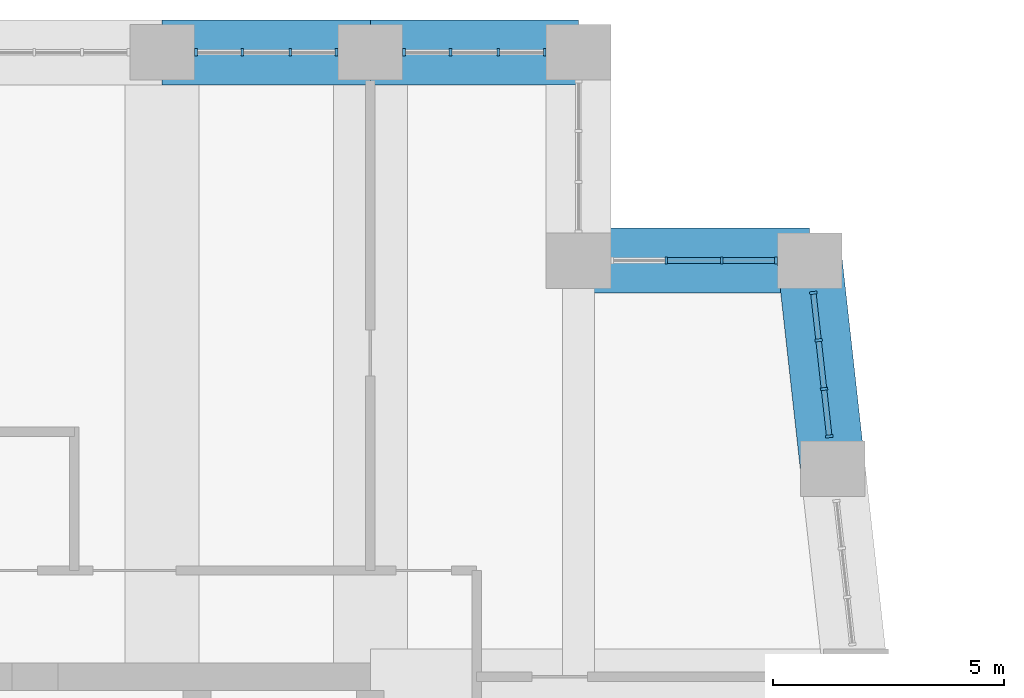
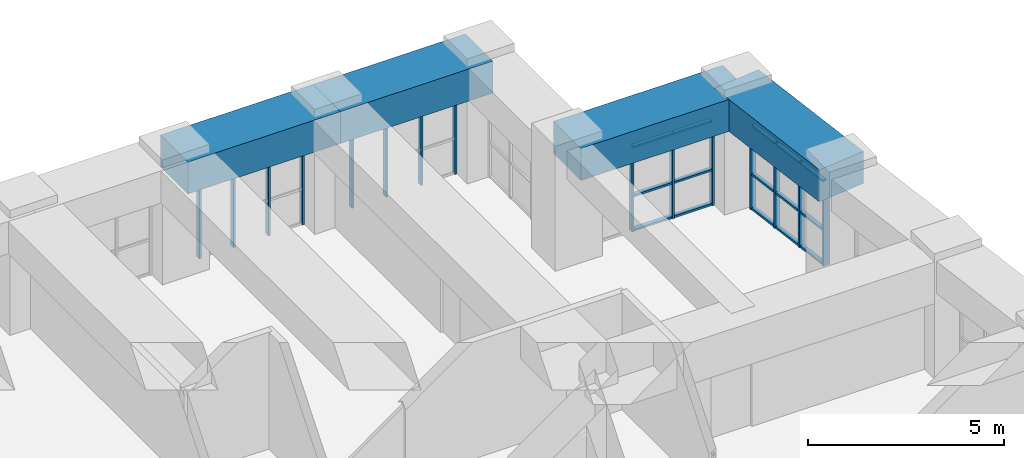
# One storey, part 9 of 18: 30 members, 4 beams, 4 elements without a shape of their own.
"""IFC4 building model written with IfcOpenShell, lengths in metres."""

from ifc_helpers import new_model, si_unit, direction, frame, origin, origin_2d, place, context, subcontext, project, spatial, rectangle, extrude, material, material_profile, profile_set, type_object, element, aggregate, save


model = new_model("IFC4")

# Units and contexts
model_context = context("Model", 3, precision=1e-05, world=origin(), true_north=direction((0.0, 1.0)))
body_context = subcontext(model_context, "Body", "Model", "MODEL_VIEW")
ifc_project = project(units=[si_unit("LENGTHUNIT", "METRE"), si_unit("AREAUNIT", "SQUARE_METRE"), si_unit("VOLUMEUNIT", "CUBIC_METRE"), si_unit("PLANEANGLEUNIT", "RADIAN"), si_unit("MASSUNIT", "GRAM", prefix="KILO")], contexts=[model_context])

# Site, building, storey
site_placement = place(None, origin())
site = spatial("IfcSite", under=ifc_project, at=site_placement, CompositionType="ELEMENT")
building_placement = place(site_placement, origin())
building = spatial("IfcBuilding", under=site, at=building_placement, Name="Kilele Tower Hotel", CompositionType="ELEMENT")
storey_placement = place(building_placement, frame((0.0, 0.0, 281.89990234375)))
storey = spatial("IfcBuildingStorey", under=building, at=storey_placement, Name="L72", CompositionType="ELEMENT", Elevation=281.89990234375)

# Curtain wall, members
ifc_material_1 = material(Name="Aluminium curtain wall, clear double glazing", Category="aluminium")
curtain_wall_type = type_object("IfcCurtainWallType", Name="Sky restaurant curtain wall CW-5", PredefinedType="NOTDEFINED", material=ifc_material_1)
curtain_wall_1_placement = place(storey_placement, origin())
curtain_wall_1 = element("IfcCurtainWall", 1, at=curtain_wall_1_placement, inside=storey, type_object=curtain_wall_type, Name="Sky restaurant curtain wall CW-5 L72", PredefinedType="NOTDEFINED")
ifc_material_2 = material(Name="Aluminium EN AW-6063 T6", Category="aluminium")
ifc_material_profile_1 = material_profile(ifc_material_2, rectangle(XDim=0.159912109375, YDim=0.06005859375, at=origin_2d()))
ifc_profile_set_1 = profile_set([ifc_material_profile_1], Name="Aluminium EN AW-6063 T6")
member_type_1 = type_object("IfcMemberType", Name="Mullion 60x160 CW-5", PredefinedType="MULLION", material=ifc_profile_set_1)
member_1_placement = place(storey_placement, frame((45.92236328125, 32.19921875, 0.0), z_axis=(0.0, 0.0, 1.0), x_axis=(-0.993883734681, -0.110431526007, 0.0)))
member_1 = element("IfcMember", 2, at=member_1_placement, type_object=member_type_1, Name="CW-5 mullion 1", PredefinedType="MULLION", context=body_context, shape_type="SweptSolid", body=[
    extrude(rectangle(XDim=0.159912109375, YDim=0.06005859375, at=origin_2d()), origin(), (0.0, 0.0, 1.0), 2.650146484375),
])
member_2_placement = place(storey_placement, frame((45.80859375, 33.22314453125, 0.0), z_axis=(0.0, 0.0, 1.0), x_axis=(-0.993883734681, -0.110431526007, 0.0)))
member_2 = element("IfcMember", 3, at=member_2_placement, type_object=member_type_1, Name="CW-5 mullion 2", PredefinedType="MULLION", context=body_context, shape_type="SweptSolid", body=[
    extrude(rectangle(XDim=0.159912109375, YDim=0.06005859375, at=origin_2d()), origin(), (0.0, 0.0, 1.0), 2.650146484375),
])
member_3_placement = place(storey_placement, frame((45.69140625, 34.27685546875, 0.0), z_axis=(0.0, 0.0, 1.0), x_axis=(-0.993883734681, -0.110431526007, 0.0)))
member_3 = element("IfcMember", 4, at=member_3_placement, type_object=member_type_1, Name="CW-5 mullion 3", PredefinedType="MULLION", context=body_context, shape_type="SweptSolid", body=[
    extrude(rectangle(XDim=0.159912109375, YDim=0.06005859375, at=origin_2d()), origin(), (0.0, 0.0, 1.0), 2.650146484375),
])
member_4_placement = place(storey_placement, frame((45.57763671875, 35.30078125, 0.0), z_axis=(0.0, 0.0, 1.0), x_axis=(-0.993883734681, -0.110431526007, 0.0)))
member_4 = element("IfcMember", 5, at=member_4_placement, type_object=member_type_1, Name="CW-5 mullion 4", PredefinedType="MULLION", context=body_context, shape_type="SweptSolid", body=[
    extrude(rectangle(XDim=0.159912109375, YDim=0.06005859375, at=origin_2d()), origin(), (0.0, 0.0, 1.0), 2.650146484375),
])

curtain_wall_2_placement = place(storey_placement, origin())
curtain_wall_2 = element("IfcCurtainWall", 6, at=curtain_wall_2_placement, inside=storey, type_object=curtain_wall_type, Name="Sky restaurant curtain wall CW-5 L72", PredefinedType="NOTDEFINED")
member_5_placement = place(storey_placement, frame((44.77001953125, 36.0, 0.0), z_axis=(0.0, 0.0, 1.0), x_axis=(0.0, -1.0, 0.0)))
member_5 = element("IfcMember", 7, at=member_5_placement, type_object=member_type_1, Name="CW-5 mullion 1", PredefinedType="MULLION", context=body_context, shape_type="SweptSolid", body=[
    extrude(rectangle(XDim=0.159912109375, YDim=0.06005859375, at=origin_2d()), origin(), (0.0, 0.0, 1.0), 2.650146484375),
])
member_6_placement = place(storey_placement, frame((43.60009765625, 36.0, 0.0), z_axis=(0.0, 0.0, 1.0), x_axis=(0.0, -1.0, 0.0)))
member_6 = element("IfcMember", 8, at=member_6_placement, type_object=member_type_1, Name="CW-5 mullion 2", PredefinedType="MULLION", context=body_context, shape_type="SweptSolid", body=[
    extrude(rectangle(XDim=0.159912109375, YDim=0.06005859375, at=origin_2d()), origin(), (0.0, 0.0, 1.0), 2.650146484375),
])
member_7_placement = place(storey_placement, frame((42.39990234375, 36.0, 0.0), z_axis=(0.0, 0.0, 1.0), x_axis=(0.0, -1.0, 0.0)))
member_7 = element("IfcMember", 9, at=member_7_placement, type_object=member_type_1, Name="CW-5 mullion 3", PredefinedType="MULLION", context=body_context, shape_type="SweptSolid", body=[
    extrude(rectangle(XDim=0.159912109375, YDim=0.06005859375, at=origin_2d()), origin(), (0.0, 0.0, 1.0), 2.650146484375),
])

curtain_wall_3_placement = place(storey_placement, origin())
curtain_wall_3 = element("IfcCurtainWall", 10, at=curtain_wall_3_placement, inside=storey, type_object=curtain_wall_type, Name="Sky restaurant curtain wall CW-5 L72", PredefinedType="NOTDEFINED")
member_8_placement = place(storey_placement, frame((39.77001953125, 40.5, 0.0), z_axis=(0.0, 0.0, 1.0), x_axis=(0.0, -1.0, 0.0)))
member_8 = element("IfcMember", 11, at=member_8_placement, type_object=member_type_1, Name="CW-5 mullion 1", PredefinedType="MULLION", context=body_context, shape_type="SweptSolid", body=[
    extrude(rectangle(XDim=0.159912109375, YDim=0.06005859375, at=origin_2d()), origin(), (0.0, 0.0, 1.0), 2.650146484375),
])
member_9_placement = place(storey_placement, frame((38.7666015625, 40.5, 0.0), z_axis=(0.0, 0.0, 1.0), x_axis=(0.0, -1.0, 0.0)))
member_9 = element("IfcMember", 12, at=member_9_placement, type_object=member_type_1, Name="CW-5 mullion 2", PredefinedType="MULLION", context=body_context, shape_type="SweptSolid", body=[
    extrude(rectangle(XDim=0.159912109375, YDim=0.06005859375, at=origin_2d()), origin(), (0.0, 0.0, 1.0), 2.650146484375),
])
member_10_placement = place(storey_placement, frame((37.7333984375, 40.5, 0.0), z_axis=(0.0, 0.0, 1.0), x_axis=(0.0, -1.0, 0.0)))
member_10 = element("IfcMember", 13, at=member_10_placement, type_object=member_type_1, Name="CW-5 mullion 3", PredefinedType="MULLION", context=body_context, shape_type="SweptSolid", body=[
    extrude(rectangle(XDim=0.159912109375, YDim=0.06005859375, at=origin_2d()), origin(), (0.0, 0.0, 1.0), 2.650146484375),
])
member_11_placement = place(storey_placement, frame((36.72998046875, 40.5, 0.0), z_axis=(0.0, 0.0, 1.0), x_axis=(0.0, -1.0, 0.0)))
member_11 = element("IfcMember", 14, at=member_11_placement, type_object=member_type_1, Name="CW-5 mullion 4", PredefinedType="MULLION", context=body_context, shape_type="SweptSolid", body=[
    extrude(rectangle(XDim=0.159912109375, YDim=0.06005859375, at=origin_2d()), origin(), (0.0, 0.0, 1.0), 2.650146484375),
])
aggregate(curtain_wall_3, [member_8, member_9, member_10, member_11])

curtain_wall_4_placement = place(storey_placement, origin())
curtain_wall_4 = element("IfcCurtainWall", 15, at=curtain_wall_4_placement, inside=storey, type_object=curtain_wall_type, Name="Sky restaurant curtain wall CW-5 L72", PredefinedType="NOTDEFINED")
member_12_placement = place(storey_placement, frame((35.27001953125, 40.5, 0.0), z_axis=(0.0, 0.0, 1.0), x_axis=(0.0, -1.0, 0.0)))
member_12 = element("IfcMember", 16, at=member_12_placement, type_object=member_type_1, Name="CW-5 mullion 1", PredefinedType="MULLION", context=body_context, shape_type="SweptSolid", body=[
    extrude(rectangle(XDim=0.159912109375, YDim=0.06005859375, at=origin_2d()), origin(), (0.0, 0.0, 1.0), 2.650146484375),
])
member_13_placement = place(storey_placement, frame((34.2666015625, 40.5, 0.0), z_axis=(0.0, 0.0, 1.0), x_axis=(0.0, -1.0, 0.0)))
member_13 = element("IfcMember", 17, at=member_13_placement, type_object=member_type_1, Name="CW-5 mullion 2", PredefinedType="MULLION", context=body_context, shape_type="SweptSolid", body=[
    extrude(rectangle(XDim=0.159912109375, YDim=0.06005859375, at=origin_2d()), origin(), (0.0, 0.0, 1.0), 2.650146484375),
])
member_14_placement = place(storey_placement, frame((33.2333984375, 40.5, 0.0), z_axis=(0.0, 0.0, 1.0), x_axis=(0.0, -1.0, 0.0)))
member_14 = element("IfcMember", 18, at=member_14_placement, type_object=member_type_1, Name="CW-5 mullion 3", PredefinedType="MULLION", context=body_context, shape_type="SweptSolid", body=[
    extrude(rectangle(XDim=0.159912109375, YDim=0.06005859375, at=origin_2d()), origin(), (0.0, 0.0, 1.0), 2.650146484375),
])
member_15_placement = place(storey_placement, frame((32.22998046875, 40.5, 0.0), z_axis=(0.0, 0.0, 1.0), x_axis=(0.0, -1.0, 0.0)))
member_15 = element("IfcMember", 19, at=member_15_placement, type_object=member_type_1, Name="CW-5 mullion 4", PredefinedType="MULLION", context=body_context, shape_type="SweptSolid", body=[
    extrude(rectangle(XDim=0.159912109375, YDim=0.06005859375, at=origin_2d()), origin(), (0.0, 0.0, 1.0), 2.650146484375),
])
aggregate(curtain_wall_4, [member_12, member_13, member_14, member_15])

# Beams
ifc_material_3 = material(Name="Concrete C60/75", Category="concrete")
ifc_material_profile_2 = material_profile(ifc_material_3, rectangle(XDim=1.39990234375, YDim=1.0, at=origin_2d()))
ifc_profile_set_2 = profile_set([ifc_material_profile_2], Name="Concrete C60/75")
beam_type = type_object("IfcBeamType", Name="Spandrel RC 1400x1000 C60/75", PredefinedType="SPANDREL", material=ifc_profile_set_2)
beam_1_placement = place(storey_placement, frame((46.0, 31.5, 3.150146484375), z_axis=(-0.110431526075, 0.993883734674, 0.0), x_axis=(-0.993883734674, -0.110431526075, 0.0)))
element("IfcBeam", 20, at=beam_1_placement, inside=storey, type_object=beam_type, Name="Spandrel SP1 level L73", PredefinedType="SPANDREL", context=body_context, shape_type="SweptSolid", body=[
    extrude(rectangle(XDim=1.39990234375, YDim=1.0, at=origin_2d()), origin(), (0.0, 0.0, 1.0), 4.527587890625),
])
beam_2_placement = place(storey_placement, frame((45.5, 36.0, 3.150146484375), z_axis=(-1.0, 0.0, 0.0), x_axis=(0.0, -1.0, 0.0)))
element("IfcBeam", 21, at=beam_2_placement, inside=storey, type_object=beam_type, Name="Spandrel SP1 level L73", PredefinedType="SPANDREL", context=body_context, shape_type="SweptSolid", body=[
    extrude(rectangle(XDim=1.39990234375, YDim=1.0, at=origin_2d()), origin(), (0.0, 0.0, 1.0), 5.0),
])
for number, where, z_axis, x_axis, name in (
    (22, (40.5, 40.5, 3.150146484375), (-1.0, 0.0, 0.0), (0.0, -1.0, 0.0), "Spandrel SP1 level L73"),
    (23, (36.0, 40.5, 3.150146484375), (-1.0, 0.0, 0.0), (0.0, -1.0, 0.0), "Spandrel SP1 level L73"),
):
    element("IfcBeam", number, at=place(storey_placement, frame(where, z_axis=z_axis, x_axis=x_axis)), inside=storey, type_object=beam_type, Name=name, PredefinedType="SPANDREL", context=body_context, shape_type="SweptSolid", body=[
        extrude(rectangle(XDim=1.39990234375, YDim=1.0, at=origin_2d()), origin(), (0.0, 0.0, 1.0), 4.5),
    ])

# Member
ifc_material_4 = material(Name="Aluminium EN AW-6063 T6", Category="aluminium")
ifc_material_profile_3 = material_profile(ifc_material_4, rectangle(XDim=0.1201171875, YDim=0.06005859375, at=origin_2d()))
ifc_profile_set_3 = profile_set([ifc_material_profile_3], Name="Aluminium EN AW-6063 T6")
member_type_2 = type_object("IfcMemberType", Name="Transom 60x120 CW-5", PredefinedType="USERDEFINED", material=ifc_profile_set_3)
member_16_placement = place(storey_placement, frame((45.9189453125, 32.229248046875, 0.030029296875), z_axis=(-0.11048677236, 0.993877594643, 0.0), x_axis=(-0.993877594643, -0.11048677236, 0.0)))
member_16 = element("IfcMember", 24, at=member_16_placement, type_object=member_type_2, Name="CW-5 transom 1.1", ObjectType="TRANSOM", PredefinedType="USERDEFINED", context=body_context, shape_type="SweptSolid", body=[
    extrude(rectangle(XDim=0.1201171875, YDim=0.06005859375, at=origin_2d()), origin(), (0.0, 0.0, 1.0), 0.969970703125),
])

member_17_placement = place(storey_placement, frame((45.9189453125, 32.229248046875, 1.10009765625), z_axis=(-0.11048677236, 0.993877594643, 0.0), x_axis=(-0.993877594643, -0.11048677236, 0.0)))
member_17 = element("IfcMember", 25, at=member_17_placement, type_object=member_type_2, Name="CW-5 transom 1.2", ObjectType="TRANSOM", PredefinedType="USERDEFINED", context=body_context, shape_type="SweptSolid", body=[
    extrude(rectangle(XDim=0.1201171875, YDim=0.06005859375, at=origin_2d()), origin(), (0.0, 0.0, 1.0), 0.969970703125),
])

member_18_placement = place(storey_placement, frame((45.9189453125, 32.229248046875, 2.6201171875), z_axis=(-0.11048677236, 0.993877594643, 0.0), x_axis=(-0.993877594643, -0.11048677236, 0.0)))
member_18 = element("IfcMember", 26, at=member_18_placement, type_object=member_type_2, Name="CW-5 transom 1.3", ObjectType="TRANSOM", PredefinedType="USERDEFINED", context=body_context, shape_type="SweptSolid", body=[
    extrude(rectangle(XDim=0.1201171875, YDim=0.06005859375, at=origin_2d()), origin(), (0.0, 0.0, 1.0), 0.969970703125),
])

member_19_placement = place(storey_placement, frame((45.80517578125, 33.2529296875, 0.030029296875), z_axis=(-0.110324368158, 0.993895635261, 0.0), x_axis=(-0.993895635261, -0.110324368158, 0.0)))
member_19 = element("IfcMember", 27, at=member_19_placement, type_object=member_type_2, Name="CW-5 transom 2.1", ObjectType="TRANSOM", PredefinedType="USERDEFINED", context=body_context, shape_type="SweptSolid", body=[
    extrude(rectangle(XDim=0.1201171875, YDim=0.06005859375, at=origin_2d()), origin(), (0.0, 0.0, 1.0), 1.000244140625),
])

member_20_placement = place(storey_placement, frame((45.80517578125, 33.2529296875, 1.10009765625), z_axis=(-0.110324368158, 0.993895635261, 0.0), x_axis=(-0.993895635261, -0.110324368158, 0.0)))
member_20 = element("IfcMember", 28, at=member_20_placement, type_object=member_type_2, Name="CW-5 transom 2.2", ObjectType="TRANSOM", PredefinedType="USERDEFINED", context=body_context, shape_type="SweptSolid", body=[
    extrude(rectangle(XDim=0.1201171875, YDim=0.06005859375, at=origin_2d()), origin(), (0.0, 0.0, 1.0), 1.000244140625),
])

member_21_placement = place(storey_placement, frame((45.80517578125, 33.2529296875, 2.6201171875), z_axis=(-0.110324368158, 0.993895635261, 0.0), x_axis=(-0.993895635261, -0.110324368158, 0.0)))
member_21 = element("IfcMember", 29, at=member_21_placement, type_object=member_type_2, Name="CW-5 transom 2.3", ObjectType="TRANSOM", PredefinedType="USERDEFINED", context=body_context, shape_type="SweptSolid", body=[
    extrude(rectangle(XDim=0.1201171875, YDim=0.06005859375, at=origin_2d()), origin(), (0.0, 0.0, 1.0), 1.000244140625),
])

member_22_placement = place(storey_placement, frame((45.688232421875, 34.306640625, 0.030029296875), z_axis=(-0.11048677236, 0.993877594643, 0.0), x_axis=(-0.993877594643, -0.11048677236, 0.0)))
member_22 = element("IfcMember", 30, at=member_22_placement, type_object=member_type_2, Name="CW-5 transom 3.1", ObjectType="TRANSOM", PredefinedType="USERDEFINED", context=body_context, shape_type="SweptSolid", body=[
    extrude(rectangle(XDim=0.1201171875, YDim=0.06005859375, at=origin_2d()), origin(), (0.0, 0.0, 1.0), 0.969970703125),
])

member_23_placement = place(storey_placement, frame((45.688232421875, 34.306640625, 1.10009765625), z_axis=(-0.11048677236, 0.993877594643, 0.0), x_axis=(-0.993877594643, -0.11048677236, 0.0)))
member_23 = element("IfcMember", 31, at=member_23_placement, type_object=member_type_2, Name="CW-5 transom 3.2", ObjectType="TRANSOM", PredefinedType="USERDEFINED", context=body_context, shape_type="SweptSolid", body=[
    extrude(rectangle(XDim=0.1201171875, YDim=0.06005859375, at=origin_2d()), origin(), (0.0, 0.0, 1.0), 0.969970703125),
])

member_24_placement = place(storey_placement, frame((45.688232421875, 34.306640625, 2.6201171875), z_axis=(-0.11048677236, 0.993877594643, 0.0), x_axis=(-0.993877594643, -0.11048677236, 0.0)))
member_24 = element("IfcMember", 32, at=member_24_placement, type_object=member_type_2, Name="CW-5 transom 3.3", ObjectType="TRANSOM", PredefinedType="USERDEFINED", context=body_context, shape_type="SweptSolid", body=[
    extrude(rectangle(XDim=0.1201171875, YDim=0.06005859375, at=origin_2d()), origin(), (0.0, 0.0, 1.0), 0.969970703125),
])

aggregate(curtain_wall_1, [member_1, member_2, member_3, member_4, member_16, member_17, member_18, member_19, member_20, member_21, member_22, member_23, member_24])

member_25_placement = place(storey_placement, frame((44.739990234375, 36.0, 0.030029296875), z_axis=(-1.0, 0.0, 0.0), x_axis=(0.0, -1.0, 0.0)))
member_25 = element("IfcMember", 33, at=member_25_placement, type_object=member_type_2, Name="CW-5 transom 1.1", ObjectType="TRANSOM", PredefinedType="USERDEFINED", context=body_context, shape_type="SweptSolid", body=[
    extrude(rectangle(XDim=0.1201171875, YDim=0.06005859375, at=origin_2d()), origin(), (0.0, 0.0, 1.0), 1.110107421875),
])

member_26_placement = place(storey_placement, frame((44.739990234375, 36.0, 1.10009765625), z_axis=(-1.0, 0.0, 0.0), x_axis=(0.0, -1.0, 0.0)))
member_26 = element("IfcMember", 34, at=member_26_placement, type_object=member_type_2, Name="CW-5 transom 1.2", ObjectType="TRANSOM", PredefinedType="USERDEFINED", context=body_context, shape_type="SweptSolid", body=[
    extrude(rectangle(XDim=0.1201171875, YDim=0.06005859375, at=origin_2d()), origin(), (0.0, 0.0, 1.0), 1.110107421875),
])

member_27_placement = place(storey_placement, frame((44.739990234375, 36.0, 2.6201171875), z_axis=(-1.0, 0.0, 0.0), x_axis=(0.0, -1.0, 0.0)))
member_27 = element("IfcMember", 35, at=member_27_placement, type_object=member_type_2, Name="CW-5 transom 1.3", ObjectType="TRANSOM", PredefinedType="USERDEFINED", context=body_context, shape_type="SweptSolid", body=[
    extrude(rectangle(XDim=0.1201171875, YDim=0.06005859375, at=origin_2d()), origin(), (0.0, 0.0, 1.0), 1.110107421875),
])

member_28_placement = place(storey_placement, frame((43.570068359375, 36.0, 0.030029296875), z_axis=(-1.0, 0.0, 0.0), x_axis=(0.0, -1.0, 0.0)))
member_28 = element("IfcMember", 36, at=member_28_placement, type_object=member_type_2, Name="CW-5 transom 2.1", ObjectType="TRANSOM", PredefinedType="USERDEFINED", context=body_context, shape_type="SweptSolid", body=[
    extrude(rectangle(XDim=0.1201171875, YDim=0.06005859375, at=origin_2d()), origin(), (0.0, 0.0, 1.0), 1.14013671875),
])

member_29_placement = place(storey_placement, frame((43.570068359375, 36.0, 1.10009765625), z_axis=(-1.0, 0.0, 0.0), x_axis=(0.0, -1.0, 0.0)))
member_29 = element("IfcMember", 37, at=member_29_placement, type_object=member_type_2, Name="CW-5 transom 2.2", ObjectType="TRANSOM", PredefinedType="USERDEFINED", context=body_context, shape_type="SweptSolid", body=[
    extrude(rectangle(XDim=0.1201171875, YDim=0.06005859375, at=origin_2d()), origin(), (0.0, 0.0, 1.0), 1.14013671875),
])

member_30_placement = place(storey_placement, frame((43.570068359375, 36.0, 2.6201171875), z_axis=(-1.0, 0.0, 0.0), x_axis=(0.0, -1.0, 0.0)))
member_30 = element("IfcMember", 38, at=member_30_placement, type_object=member_type_2, Name="CW-5 transom 2.3", ObjectType="TRANSOM", PredefinedType="USERDEFINED", context=body_context, shape_type="SweptSolid", body=[
    extrude(rectangle(XDim=0.1201171875, YDim=0.06005859375, at=origin_2d()), origin(), (0.0, 0.0, 1.0), 1.14013671875),
])

aggregate(curtain_wall_2, [member_5, member_6, member_7, member_25, member_26, member_27, member_28, member_29, member_30])

save(model, "model.ifc")
